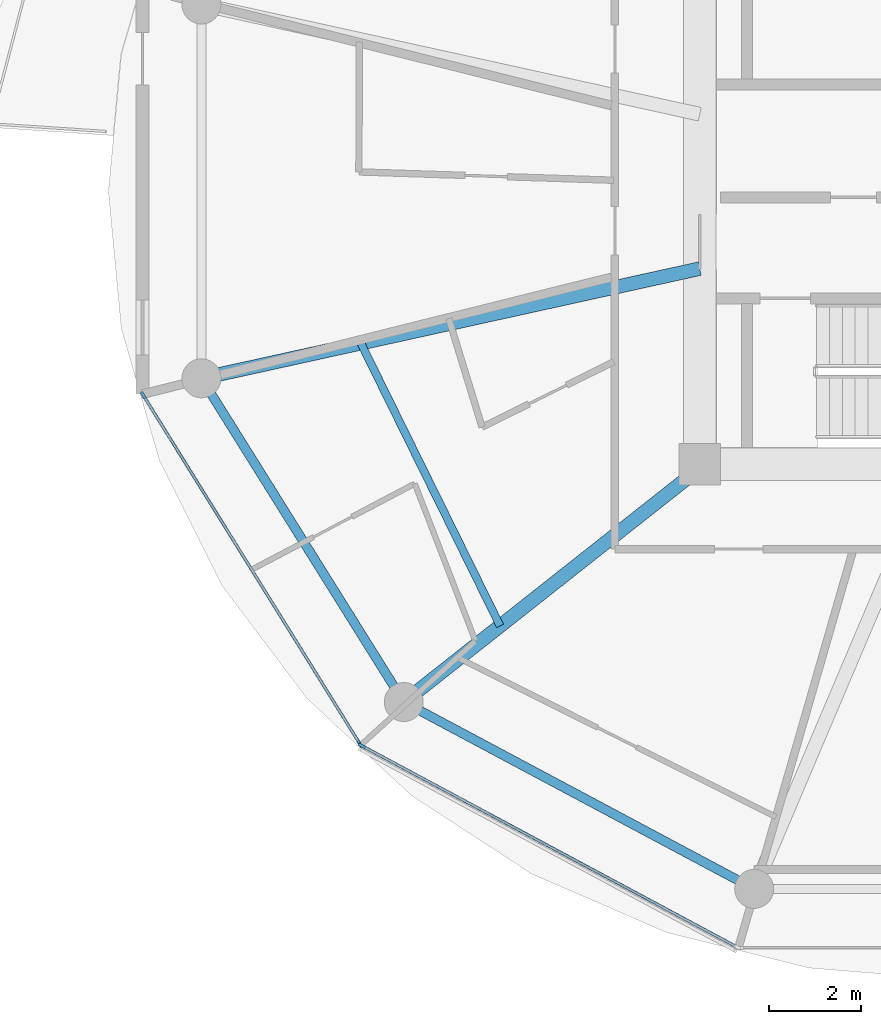
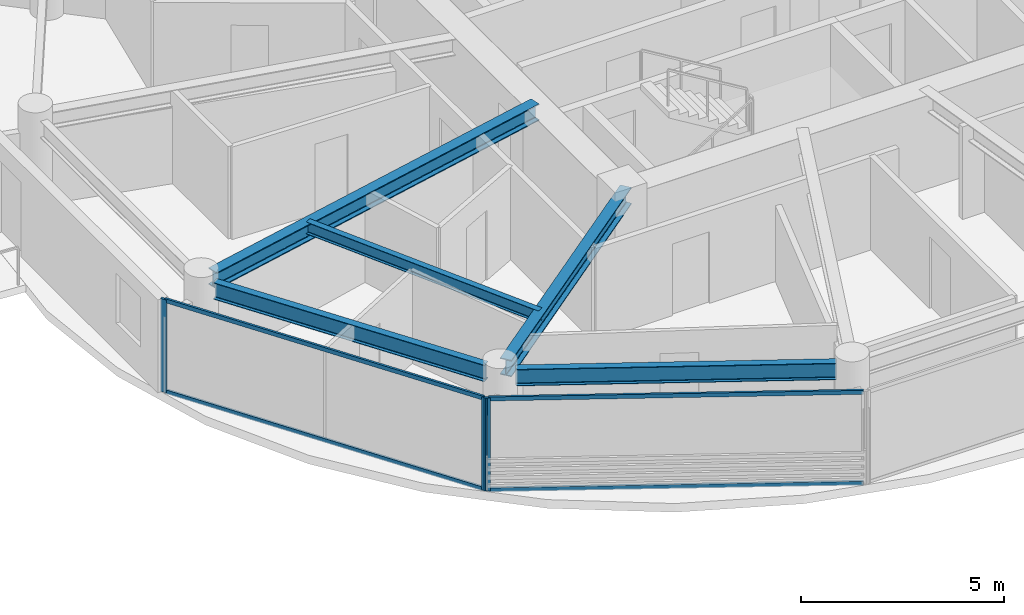
# One storey, part 6 of 22: 7 members, 5 beams, 2 elements without a shape of their own.
"""IFC4 building model written with IfcOpenShell, lengths in metres."""

from ifc_helpers import new_model, si_unit, direction, frame, origin, origin_2d, place, context, subcontext, project, spatial, rectangle, i_section, extrude, source, transform, mapped, material, layer, layer_set, material_profile, profile_set, type_object, type_shapes, element, aggregate, save


model = new_model("IFC4")

# Units and contexts
model_context = context("Model", 3, precision=1e-05, world=origin(), true_north=direction((0.0, 1.0)))
body_context = subcontext(model_context, "Body", "Model", "MODEL_VIEW")
ifc_project = project(units=[si_unit("LENGTHUNIT", "METRE"), si_unit("AREAUNIT", "SQUARE_METRE"), si_unit("VOLUMEUNIT", "CUBIC_METRE"), si_unit("PLANEANGLEUNIT", "RADIAN"), si_unit("MASSUNIT", "GRAM", prefix="KILO")], contexts=[model_context])

# Site, building, storey
site_placement = place(None, origin())
site = spatial("IfcSite", under=ifc_project, at=site_placement, CompositionType="ELEMENT")
building_placement = place(site_placement, origin())
building = spatial("IfcBuilding", under=site, at=building_placement, Name="Norrkilde Senior Care Towers", CompositionType="ELEMENT")
storey_placement = place(building_placement, frame((0.0, 0.0, 120.64990234375)))
storey = spatial("IfcBuildingStorey", under=building, at=storey_placement, Name="L37", CompositionType="ELEMENT", Elevation=120.64990234375)

# Beams
ifc_material_1 = material(Name="Steel S355", Category="steel")
ifc_material_profile_1 = material_profile(ifc_material_1, i_section(OverallWidth=0.199951171875, OverallDepth=0.5, WebThickness=0.01025390625, FlangeThickness=0.01611328125, FilletRadius=0.02099609375, at=origin_2d()), Name="IPE 500")
ifc_profile_set_1 = profile_set([ifc_material_profile_1], Name="Steel S355")
beam_type_1 = type_object("IfcBeamType", Name="Perimeter Ring Spandrel Z2 IPE500", PredefinedType="SPANDREL", material=ifc_profile_set_1)
shared_shape_1 = source(origin(), body_context, "Body", "SweptSolid", [
    extrude(i_section(OverallWidth=0.199951171875, OverallDepth=0.5, WebThickness=0.01025390625, FlangeThickness=0.01611328125, FilletRadius=0.02099609375, at=origin_2d()), origin(), (0.0, 0.0, 1.0), 7.55615234375),
])
beam_1_placement = place(storey_placement, frame((9.68505859375, -4.40283203125, 2.5400390625), z_axis=(0.529981514254, -0.848009194849, 0.0), x_axis=(0.848009194849, 0.529981514254, 0.0)))
element("IfcBeam", 1, at=beam_1_placement, inside=storey, type_object=beam_type_1, Name="L37 Drum E Perimeter Spandrel 07", PredefinedType="SPANDREL", context=body_context, shape_type="MappedRepresentation", body=[
    mapped(shared_shape_1, transform((0.0, 0.0, 0.0), x_axis=(1.0, 0.0, 0.0), y_axis=(0.0, 1.0, 0.0), z_axis=(0.0, 0.0, 1.0), scale=1.0)),
])
ifc_material_profile_2 = material_profile(ifc_material_1, i_section(OverallWidth=0.300048828125, OverallDepth=0.5, WebThickness=0.014404296875, FlangeThickness=0.028076171875, FilletRadius=0.027099609375, at=origin_2d()), Name="HEB 500")
ifc_profile_set_2 = profile_set([ifc_material_profile_2], Name="Steel S355")
beam_type_2 = type_object("IfcBeamType", Name="Radial Floor Beam Z2 HEB500", PredefinedType="BEAM", material=ifc_profile_set_2)
shared_shape_2 = source(origin(), body_context, "Body", "SweptSolid", [
    extrude(i_section(OverallWidth=0.300048828125, OverallDepth=0.5, WebThickness=0.014404296875, FlangeThickness=0.028076171875, FilletRadius=0.027099609375, at=origin_2d()), origin(), (0.0, 0.0, 1.0), 10.744384765625),
])
beam_2_placement = place(storey_placement, frame((20.35009765625, -1.683837890625, 2.5400390625), z_axis=(-0.976618711422, -0.214978818724, 0.0), x_axis=(0.214978818724, -0.976618711422, 0.0)))
element("IfcBeam", 2, at=beam_2_placement, inside=storey, type_object=beam_type_2, Name="L37 Drum E Radial Floor Beam 07", PredefinedType="BEAM", context=body_context, shape_type="MappedRepresentation", body=[
    mapped(shared_shape_2, transform((0.0, 0.0, 0.0), x_axis=(1.0, 0.0, 0.0), y_axis=(0.0, 1.0, 0.0), z_axis=(0.0, 0.0, 1.0), scale=1.0)),
])
shared_shape_3 = source(origin(), body_context, "Body", "SweptSolid", [
    extrude(i_section(OverallWidth=0.199951171875, OverallDepth=0.5, WebThickness=0.01025390625, FlangeThickness=0.01611328125, FilletRadius=0.02099609375, at=origin_2d()), origin(), (0.0, 0.0, 1.0), 7.892333984375),
])
type_shapes(beam_type_1, [shared_shape_1, shared_shape_3])
beam_3_placement = place(storey_placement, frame((14.233642578125, -11.318115234375, 2.5400390625), z_axis=(0.882350372282, -0.47059305194, 0.0), x_axis=(0.47059305194, 0.882350372282, 0.0)))
element("IfcBeam", 3, at=beam_3_placement, inside=storey, type_object=beam_type_1, Name="L37 Drum E Perimeter Spandrel 08", PredefinedType="SPANDREL", context=body_context, shape_type="MappedRepresentation", body=[
    mapped(shared_shape_3, transform((0.0, 0.0, 0.0), x_axis=(1.0, 0.0, 0.0), y_axis=(0.0, 1.0, 0.0), z_axis=(0.0, 0.0, 1.0), scale=1.0)),
])
shared_shape_4 = source(origin(), body_context, "Body", "SweptSolid", [
    extrude(i_section(OverallWidth=0.300048828125, OverallDepth=0.5, WebThickness=0.014404296875, FlangeThickness=0.028076171875, FilletRadius=0.027099609375, at=origin_2d()), origin(), (0.0, 0.0, 1.0), 7.985595703125),
])
type_shapes(beam_type_2, [shared_shape_2, shared_shape_4])
beam_4_placement = place(storey_placement, frame((20.463623046875, -5.949951171875, 2.5400390625), z_axis=(-0.784858505144, -0.619675017169, 0.0), x_axis=(0.619675017169, -0.784858505144, 0.0)))
element("IfcBeam", 4, at=beam_4_placement, inside=storey, type_object=beam_type_2, Name="L37 Drum E Radial Floor Beam 08", PredefinedType="BEAM", context=body_context, shape_type="MappedRepresentation", body=[
    mapped(shared_shape_4, transform((0.0, 0.0, 0.0), x_axis=(1.0, 0.0, 0.0), y_axis=(0.0, 1.0, 0.0), z_axis=(0.0, 0.0, 1.0), scale=1.0)),
])
ifc_material_profile_3 = material_profile(ifc_material_1, i_section(OverallWidth=0.169921875, OverallDepth=0.360107421875, WebThickness=0.008056640625, FlangeThickness=0.0126953125, FilletRadius=0.01806640625, at=origin_2d()), Name="IPE 360")
ifc_profile_set_3 = profile_set([ifc_material_profile_3], Name="Steel S355")
beam_type_3 = type_object("IfcBeamType", Name="Secondary Floor Joist IPE360", PredefinedType="JOIST", material=ifc_profile_set_3)
shared_shape_5 = source(origin(), body_context, "Body", "SweptSolid", [
    extrude(i_section(OverallWidth=0.169921875, OverallDepth=0.360107421875, WebThickness=0.008056640625, FlangeThickness=0.0126953125, FilletRadius=0.01806640625, at=origin_2d()), origin(), (0.0, 0.0, 1.0), 6.87353515625),
])
type_shapes(beam_type_3, [shared_shape_5])
beam_5_placement = place(storey_placement, frame((12.958984375, -3.310791015625, 2.610107421875), z_axis=(0.44184939592, -0.897089243791, 0.0), x_axis=(0.897089243791, 0.44184939592, 0.0)))
element("IfcBeam", 5, at=beam_5_placement, inside=storey, type_object=beam_type_3, Name="L37 Drum E Secondary Floor Joist 3", PredefinedType="JOIST", context=body_context, shape_type="MappedRepresentation", body=[
    mapped(shared_shape_5, transform((0.0, 0.0, 0.0), x_axis=(1.0, 0.0, 0.0), y_axis=(0.0, 1.0, 0.0), z_axis=(0.0, 0.0, 1.0), scale=1.0)),
])

# Curtain wall, members
ifc_material_2 = material(Name="Triple Low-E Insulated Glazing", Category="glass")
ifc_layer = layer(ifc_material_2, 0.195068359375)
ifc_layer_set = layer_set([ifc_layer], Name="Triple Low-E Insulated Glazing")
curtain_wall_type = type_object("IfcCurtainWallType", Name="CW3 Zone 2 Assisted Living Curtain Wall", PredefinedType="NOTDEFINED", material=ifc_layer_set)
curtain_wall_1_placement = place(storey_placement, origin())
curtain_wall_1 = element("IfcCurtainWall", 6, at=curtain_wall_1_placement, inside=storey, type_object=curtain_wall_type, Name="L37 Drum E Curtain Wall 06", PredefinedType="NOTDEFINED")
ifc_material_3 = material(Name="Anodised Aluminium", Category="aluminium")
ifc_material_profile_4 = material_profile(ifc_material_3, rectangle(XDim=0.06494140625, YDim=0.159912109375, at=origin_2d()), Name="ALU MULL 65x160")
ifc_profile_set_4 = profile_set([ifc_material_profile_4], Name="Anodised Aluminium")
member_type_1 = type_object("IfcMemberType", Name="Curtain Wall Mullion Z1-Z2 65x160", PredefinedType="MULLION", material=ifc_profile_set_4)
shared_shape_6 = source(origin(), body_context, "Body", "SweptSolid", [
    extrude(rectangle(XDim=0.06494140625, YDim=0.159912109375, at=origin_2d()), origin(), (0.0, 0.0, 1.0), 2.7900390625),
])
type_shapes(member_type_1, [shared_shape_6])
member_1_placement = place(storey_placement, frame((12.936279296875, -12.0498046875, 0.0), z_axis=(0.0, 0.0, 1.0), x_axis=(-0.849410171862, -0.527733228002, 0.0)))
member_1 = element("IfcMember", 7, at=member_1_placement, type_object=member_type_1, Name="CW-3 mullion 1", PredefinedType="MULLION", context=body_context, shape_type="MappedRepresentation", body=[
    mapped(shared_shape_6, transform((0.0, 0.0, 0.0), x_axis=(1.0, 0.0, 0.0), y_axis=(0.0, 1.0, 0.0), z_axis=(0.0, 0.0, 1.0), scale=1.0)),
])
member_2_placement = place(storey_placement, frame((8.21337890625, -4.4482421875, 0.0), z_axis=(0.0, 0.0, 1.0), x_axis=(-0.849410171862, -0.527733228002, 0.0)))
member_2 = element("IfcMember", 8, at=member_2_placement, type_object=member_type_1, Name="CW-3 mullion 2", PredefinedType="MULLION", context=body_context, shape_type="MappedRepresentation", body=[
    mapped(shared_shape_6, transform((0.0, 0.0, 0.0), x_axis=(1.0, 0.0, 0.0), y_axis=(0.0, 1.0, 0.0), z_axis=(0.0, 0.0, 1.0), scale=1.0)),
])

# Curtain wall, member
curtain_wall_2_placement = place(storey_placement, origin())
curtain_wall_2 = element("IfcCurtainWall", 9, at=curtain_wall_2_placement, inside=storey, type_object=curtain_wall_type, Name="L37 Drum E Curtain Wall 07", PredefinedType="NOTDEFINED")
member_3_placement = place(storey_placement, frame((12.98193359375, -12.0927734375, 0.0), z_axis=(0.0, 0.0, 1.0), x_axis=(-0.472769402511, -0.881186184668, 0.0)))
member_3 = element("IfcMember", 10, at=member_3_placement, type_object=member_type_1, Name="CW-3 mullion 2", PredefinedType="MULLION", context=body_context, shape_type="MappedRepresentation", body=[
    mapped(shared_shape_6, transform((0.0, 0.0, 0.0), x_axis=(1.0, 0.0, 0.0), y_axis=(0.0, 1.0, 0.0), z_axis=(0.0, 0.0, 1.0), scale=1.0)),
])

# Member
ifc_material_profile_5 = material_profile(ifc_material_3, rectangle(XDim=0.06005859375, YDim=0.1201171875, at=origin_2d()), Name="ALU TRAN 60x120")
ifc_profile_set_5 = profile_set([ifc_material_profile_5], Name="Anodised Aluminium")
member_type_2 = type_object("IfcMemberType", Name="Curtain Wall Transom Typical 60x120", PredefinedType="USERDEFINED", material=ifc_profile_set_5)
shared_shape_7 = source(origin(), body_context, "Body", "SweptSolid", [
    extrude(rectangle(XDim=0.06005859375, YDim=0.1201171875, at=origin_2d()), origin(), (0.0, 0.0, 1.0), 8.88427734375),
])
member_4_placement = place(storey_placement, frame((12.919189453125, -12.022216796875, 0.030029296875), z_axis=(-0.527749293309, 0.849400190377, 0.0), x_axis=(-0.849400190377, -0.527749293309, 0.0)))
member_4 = element("IfcMember", 11, at=member_4_placement, type_object=member_type_2, Name="CW-3 transom 1.1", ObjectType="TRANSOM", PredefinedType="USERDEFINED", context=body_context, shape_type="MappedRepresentation", body=[
    mapped(shared_shape_7, transform((0.0, 0.0, 0.0), x_axis=(1.0, 0.0, 0.0), y_axis=(0.0, 1.0, 0.0), z_axis=(0.0, 0.0, 1.0), scale=1.0)),
])

member_5_placement = place(storey_placement, frame((12.919189453125, -12.022216796875, 2.760009765625), z_axis=(-0.527749293309, 0.849400190377, 0.0), x_axis=(-0.849400190377, -0.527749293309, 0.0)))
member_5 = element("IfcMember", 12, at=member_5_placement, type_object=member_type_2, Name="CW-3 transom 1.2", ObjectType="TRANSOM", PredefinedType="USERDEFINED", context=body_context, shape_type="MappedRepresentation", body=[
    mapped(shared_shape_7, transform((0.0, 0.0, 0.0), x_axis=(1.0, 0.0, 0.0), y_axis=(0.0, 1.0, 0.0), z_axis=(0.0, 0.0, 1.0), scale=1.0)),
])

aggregate(curtain_wall_1, [member_1, member_2, member_4, member_5])

shared_shape_8 = source(origin(), body_context, "Body", "SweptSolid", [
    extrude(rectangle(XDim=0.06005859375, YDim=0.1201171875, at=origin_2d()), origin(), (0.0, 0.0, 1.0), 9.220458984375),
])
type_shapes(member_type_2, [shared_shape_7, shared_shape_8])
member_6_placement = place(storey_placement, frame((21.1357421875, -16.46728515625, 0.030029296875), z_axis=(-0.881188517866, 0.472765053681, 0.0), x_axis=(-0.472765053681, -0.881188517866, 0.0)))
member_6 = element("IfcMember", 13, at=member_6_placement, type_object=member_type_2, Name="CW-3 transom 1.1", ObjectType="TRANSOM", PredefinedType="USERDEFINED", context=body_context, shape_type="MappedRepresentation", body=[
    mapped(shared_shape_8, transform((0.0, 0.0, 0.0), x_axis=(1.0, 0.0, 0.0), y_axis=(0.0, 1.0, 0.0), z_axis=(0.0, 0.0, 1.0), scale=1.0)),
])

member_7_placement = place(storey_placement, frame((21.1357421875, -16.46728515625, 2.760009765625), z_axis=(-0.881188517866, 0.472765053681, 0.0), x_axis=(-0.472765053681, -0.881188517866, 0.0)))
member_7 = element("IfcMember", 14, at=member_7_placement, type_object=member_type_2, Name="CW-3 transom 1.2", ObjectType="TRANSOM", PredefinedType="USERDEFINED", context=body_context, shape_type="MappedRepresentation", body=[
    mapped(shared_shape_8, transform((0.0, 0.0, 0.0), x_axis=(1.0, 0.0, 0.0), y_axis=(0.0, 1.0, 0.0), z_axis=(0.0, 0.0, 1.0), scale=1.0)),
])

aggregate(curtain_wall_2, [member_3, member_6, member_7])

save(model, "model.ifc")
